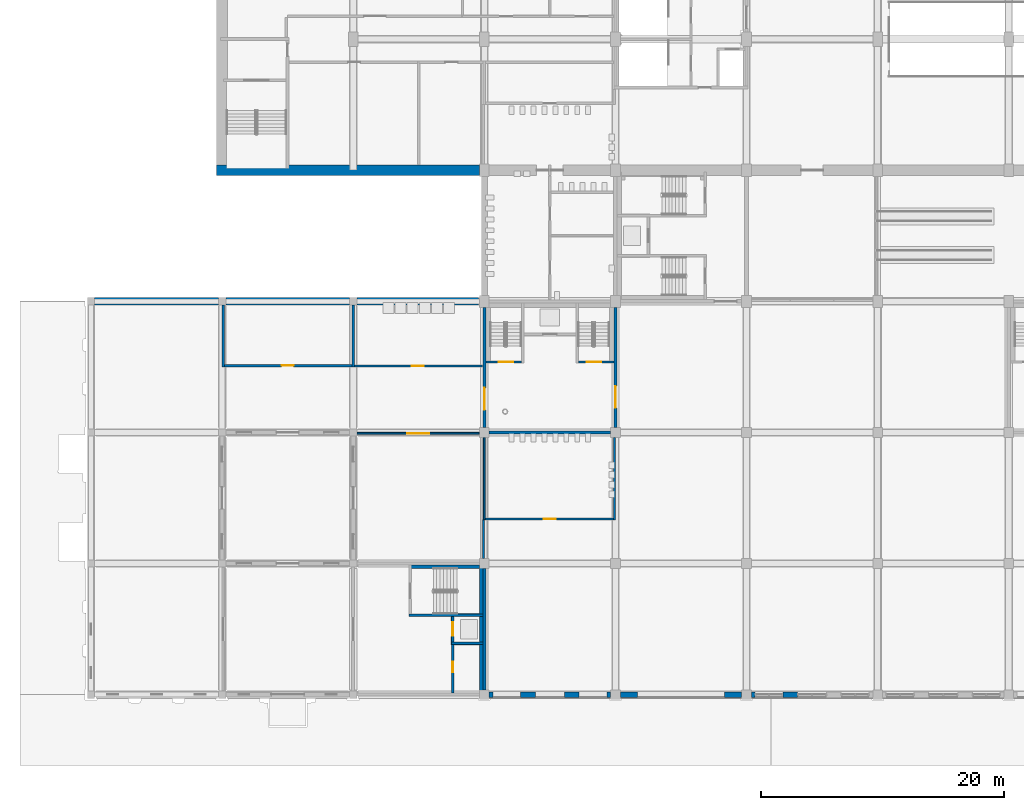
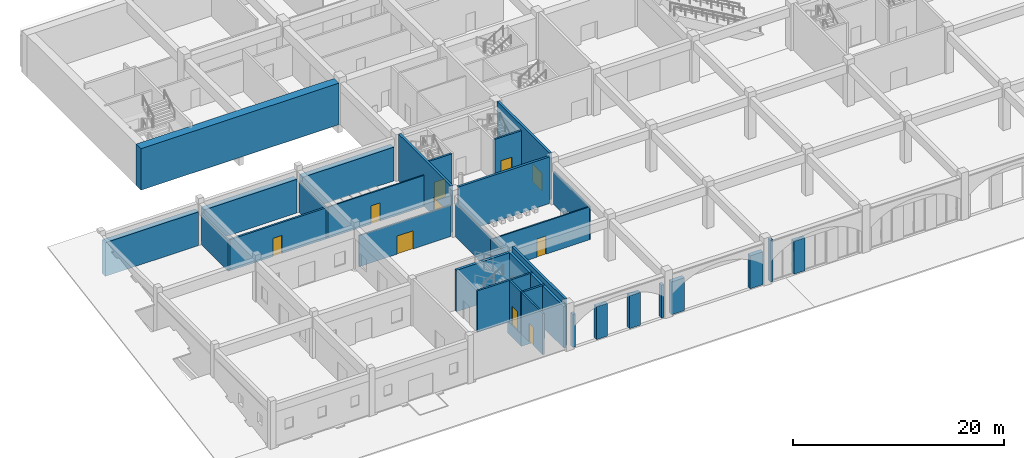
# One storey, part 26 of 101: 36 walls, 10 doors, 10 openings.
"""IFC4 building model written with IfcOpenShell, lengths in metres."""

from ifc_helpers import new_model, si_unit, direction, frame, frame_2d, origin, place, context, subcontext, project, spatial, polyline, rectangle, outline, extrude, material, layer, layer_set, type_object, element, fill, save


model = new_model("IFC4")

# Units and contexts
model_context = context("Model", 3, precision=1e-05, world=origin(), true_north=direction((0.0, 1.0)))
body_context = subcontext(model_context, "Body", "Model", "MODEL_VIEW")
ifc_project = project(units=[si_unit("LENGTHUNIT", "METRE"), si_unit("AREAUNIT", "SQUARE_METRE"), si_unit("VOLUMEUNIT", "CUBIC_METRE"), si_unit("PLANEANGLEUNIT", "RADIAN"), si_unit("MASSUNIT", "GRAM", prefix="KILO")], contexts=[model_context])

# Site, building, storey
site_placement = place(None, origin())
site = spatial("IfcSite", under=ifc_project, at=site_placement, CompositionType="ELEMENT")
building_placement = place(site_placement, origin())
building = spatial("IfcBuilding", under=site, at=building_placement, Name="Magnolia Steps Interchange", CompositionType="ELEMENT")
storey_placement = place(building_placement, frame((0.0, 0.0, -5.39990234375)))
storey = spatial("IfcBuildingStorey", under=building, at=storey_placement, Name="B1", CompositionType="ELEMENT", Elevation=-5.39990234375)

# Walls
ifc_material_1 = material(Name="Concrete C40", Category="concrete")
ifc_layer_1 = layer(ifc_material_1, 0.449951171875)
ifc_layer_set_1 = layer_set([ifc_layer_1], Name="Concrete C40 arcade wall 450")
wall_type_1 = type_object("IfcWallType", Name="Concrete C40 arcade wall 450", PredefinedType="SOLIDWALL", material=ifc_layer_set_1)
wall_1_placement = place(storey_placement, frame((42.800048828125, 10.0, 0.0), z_axis=(0.0, 0.0, 1.0), x_axis=(1.0, 0.0, 0.0)))
element("IfcWall", 1, at=wall_1_placement, inside=storey, type_object=wall_type_1, Name="Street arcade pier 1", PredefinedType="SOLIDWALL", context=body_context, shape_type="SweptSolid", body=[
    extrude(rectangle(XDim=0.300048828125, YDim=0.449951171875, at=frame_2d((0.14990234375, 0.0))), origin(), (0.0, 0.0, 1.0), 3.7998046875),
])
wall_2_placement = place(storey_placement, frame((45.39990234375, 10.0, 0.0), z_axis=(0.0, 0.0, 1.0), x_axis=(1.0, 0.0, 0.0)))
element("IfcWall", 2, at=wall_2_placement, inside=storey, type_object=wall_type_1, Name="Street arcade pier 3", PredefinedType="SOLIDWALL", context=body_context, shape_type="SweptSolid", body=[
    extrude(rectangle(XDim=1.2001953125, YDim=0.449951171875, at=frame_2d((0.60009765625, 0.0))), origin(), (0.0, 0.0, 1.0), 3.7998046875),
])
wall_3_placement = place(storey_placement, frame((49.0, 10.0, 0.0), z_axis=(0.0, 0.0, 1.0), x_axis=(1.0, 0.0, 0.0)))
element("IfcWall", 3, at=wall_3_placement, inside=storey, type_object=wall_type_1, Name="Street arcade pier 5", PredefinedType="SOLIDWALL", context=body_context, shape_type="SweptSolid", body=[
    extrude(rectangle(XDim=1.199951171875, YDim=0.449951171875, at=frame_2d((0.60009765625, 0.0))), origin(), (0.0, 0.0, 1.0), 3.7998046875),
])
wall_4_placement = place(storey_placement, frame((52.5, 10.0, 0.0), z_axis=(0.0, 0.0, 1.0), x_axis=(1.0, 0.0, 0.0)))
element("IfcWall", 4, at=wall_4_placement, inside=storey, type_object=wall_type_1, Name="Street arcade pier 7", PredefinedType="SOLIDWALL", context=body_context, shape_type="SweptSolid", body=[
    extrude(rectangle(XDim=0.300048828125, YDim=0.449951171875, at=frame_2d((0.14990234375, 0.0))), origin(), (0.0, 0.0, 1.0), 3.7998046875),
])
wall_5_placement = place(storey_placement, frame((53.60009765625, 10.0, 0.0), z_axis=(0.0, 0.0, 1.0), x_axis=(1.0, 0.0, 0.0)))
element("IfcWall", 5, at=wall_5_placement, inside=storey, type_object=wall_type_1, Name="Street arcade pier 7", PredefinedType="SOLIDWALL", context=body_context, shape_type="SweptSolid", body=[
    extrude(rectangle(XDim=1.39990234375, YDim=0.449951171875, at=frame_2d((0.699951171875, 0.0))), origin(), (0.0, 0.0, 1.0), 3.7998046875),
])
wall_6_placement = place(storey_placement, frame((62.199951171875, 10.0, 0.0), z_axis=(0.0, 0.0, 1.0), x_axis=(1.0, 0.0, 0.0)))
element("IfcWall", 6, at=wall_6_placement, inside=storey, type_object=wall_type_1, Name="Street arcade pier 9", PredefinedType="SOLIDWALL", context=body_context, shape_type="SweptSolid", body=[
    extrude(rectangle(XDim=1.400146484375, YDim=0.449951171875, at=frame_2d((0.7001953125, 0.0))), origin(), (0.0, 0.0, 1.0), 3.7998046875),
])
wall_7_placement = place(storey_placement, frame((64.39990234375, 10.0, 0.0), z_axis=(0.0, 0.0, 1.0), x_axis=(1.0, 0.0, 0.0)))
element("IfcWall", 7, at=wall_7_placement, inside=storey, type_object=wall_type_1, Name="Street arcade pier 9", PredefinedType="SOLIDWALL", context=body_context, shape_type="SweptSolid", body=[
    extrude(rectangle(XDim=0.300048828125, YDim=0.449951171875, at=frame_2d((0.14990234375, 0.0))), origin(), (0.0, 0.0, 1.0), 4.7998046875),
])
wall_8_placement = place(storey_placement, frame((67.0, 10.0, 0.0), z_axis=(0.0, 0.0, 1.0), x_axis=(1.0, 0.0, 0.0)))
element("IfcWall", 8, at=wall_8_placement, inside=storey, type_object=wall_type_1, Name="Street arcade pier 11", PredefinedType="SOLIDWALL", context=body_context, shape_type="SweptSolid", body=[
    extrude(rectangle(XDim=1.199951171875, YDim=0.449951171875, at=frame_2d((0.60009765625, 0.0))), origin(), (0.0, 0.0, 1.0), 3.7998046875),
])
ifc_material_2 = material(Name="Concrete C40", Category="concrete")
ifc_layer_2 = layer(ifc_material_2, 0.60009765625)
ifc_layer_set_2 = layer_set([ifc_layer_2], Name="Concrete C40 deep retaining wall 600")
wall_type_2 = type_object("IfcWallType", Name="Concrete C40 deep retaining wall 600", PredefinedType="SOLIDWALL", material=ifc_layer_set_2)
for number, where, z_axis, x_axis, name in (
    (9, (10.300048828125, 42.39990234375, 0.0), (0.0, 0.0, 1.0), (1.0, 0.0, 0.0), "Cycle hub north retaining wall B1"),
    (10, (21.10009765625, 42.39990234375, 0.0), (0.0, 0.0, 1.0), (1.0, 0.0, 0.0), "Cycle hub north retaining wall B1"),
):
    element("IfcWall", number, at=place(storey_placement, frame(where, z_axis=z_axis, x_axis=x_axis)), inside=storey, type_object=wall_type_2, Name=name, PredefinedType="SOLIDWALL", context=body_context, shape_type="SweptSolid", body=[
        extrude(rectangle(XDim=10.199951171875, YDim=0.60009765625, at=frame_2d((5.10009765625, 0.0))), origin(), (0.0, 0.0, 1.0), 3.89990234375),
    ])
wall_9_placement = place(storey_placement, frame((31.89990234375, 42.39990234375, 0.0), z_axis=(0.0, 0.0, 1.0), x_axis=(1.0, 0.0, 0.0)))
element("IfcWall", 11, at=wall_9_placement, inside=storey, type_object=wall_type_2, Name="Cycle hub north retaining wall B1", PredefinedType="SOLIDWALL", context=body_context, shape_type="SweptSolid", body=[
    extrude(rectangle(XDim=10.0, YDim=0.60009765625, at=frame_2d((5.0, 0.0))), origin(), (0.0, 0.0, 1.0), 3.89990234375),
])

# Wall, opening, door
ifc_material_3 = material(Name="Concrete C35", Category="concrete")
ifc_layer_3 = layer(ifc_material_3, 0.199951171875)
ifc_layer_set_3 = layer_set([ifc_layer_3], Name="Core enclosure wall 200")
wall_type_3 = type_object("IfcWallType", Name="Core enclosure wall 200", PredefinedType="SOLIDWALL", material=ifc_layer_set_3)
wall_10_placement = place(storey_placement, frame((42.52490234375, 37.39990234375, 0.0), z_axis=(0.0, 0.0, 1.0), x_axis=(1.0, 0.0, 0.0)))
wall_10 = element("IfcWall", 12, at=wall_10_placement, inside=storey, type_object=wall_type_3, Name="B1 BC1 enclosure wall", PredefinedType="SOLIDWALL", context=body_context, shape_type="SweptSolid", body=[
    extrude(rectangle(XDim=2.925048828125, YDim=0.199951171875, at=frame_2d((1.46240234375, 0.0))), origin(), (0.0, 0.0, 1.0), 4.7998046875),
])
opening_1_placement = place(wall_10_placement, frame((1.050048828125, 0.0, 0.0)))
opening_1 = element("IfcOpeningElement", 13, at=opening_1_placement, cuts=wall_10, Name="Opening D-BC1-B1-1", PredefinedType="OPENING", context=body_context, shape_type="SweptSolid", body=[
    extrude(rectangle(XDim=1.199951171875, YDim=2.10009765625, at=frame_2d((0.60009765625, 1.050048828125))), frame((0.0, 0.10986328125, 0.0), z_axis=(0.0, -1.0, 0.0), x_axis=(1.0, 0.0, 0.0)), (0.0, 0.0, 1.0), 0.219970703125),
])
ifc_material_4 = material(Name="Painted steel", Category="steel")
door_type_1 = type_object("IfcDoorType", Name="Stair fire door 1200x2100", OperationType="NOTDEFINED", PredefinedType="DOOR", material=ifc_material_4)
door_1_placement = place(opening_1_placement, frame((1.199951171875, 0.0, 0.0), z_axis=(0.0, 0.0, 1.0), x_axis=(-1.0, 0.0, 0.0)))
door_1 = element("IfcDoor", 14, at=door_1_placement, inside=storey, type_object=door_type_1, Name="Stair door ST17 B1", OperationType="SINGLE_SWING_LEFT", OverallHeight=2.10009765625, OverallWidth=1.199951171875, PredefinedType="DOOR", context=body_context, shape_type="SweptSolid", body=[
    extrude(rectangle(XDim=1.199951171875, YDim=2.10009765625, at=frame_2d((0.60009765625, 1.050048828125))), frame((0.0, 0.02490234375, 0.0), z_axis=(0.0, -1.0, 0.0), x_axis=(1.0, 0.0, 0.0)), (0.0, 0.0, 1.0), 0.050048828125),
])
fill(opening_1, door_1)

wall_11_placement = place(storey_placement, frame((50.14990234375, 37.39990234375, 0.0), z_axis=(0.0, 0.0, 1.0), x_axis=(1.0, 0.0, 0.0)))
wall_11 = element("IfcWall", 15, at=wall_11_placement, inside=storey, type_object=wall_type_3, Name="B1 BC1 enclosure wall", PredefinedType="SOLIDWALL", context=body_context, shape_type="SweptSolid", body=[
    extrude(rectangle(XDim=2.925048828125, YDim=0.199951171875, at=frame_2d((1.46240234375, 0.0))), origin(), (0.0, 0.0, 1.0), 4.7998046875),
])
opening_2_placement = place(wall_11_placement, frame((0.675048828125, 0.0, 0.0)))
opening_2 = element("IfcOpeningElement", 16, at=opening_2_placement, cuts=wall_11, Name="Opening D-BC1-B1-2", PredefinedType="OPENING", context=body_context, shape_type="SweptSolid", body=[
    extrude(rectangle(XDim=1.199951171875, YDim=2.10009765625, at=frame_2d((0.60009765625, 1.050048828125))), frame((0.0, 0.10986328125, 0.0), z_axis=(0.0, -1.0, 0.0), x_axis=(1.0, 0.0, 0.0)), (0.0, 0.0, 1.0), 0.219970703125),
])
door_2_placement = place(opening_2_placement, frame((1.199951171875, 0.0, 0.0), z_axis=(0.0, 0.0, 1.0), x_axis=(-1.0, 0.0, 0.0)))
door_2 = element("IfcDoor", 17, at=door_2_placement, inside=storey, type_object=door_type_1, Name="Stair door ST18 B1", OperationType="SINGLE_SWING_RIGHT", OverallHeight=2.10009765625, OverallWidth=1.199951171875, PredefinedType="DOOR", context=body_context, shape_type="SweptSolid", body=[
    extrude(rectangle(XDim=1.199951171875, YDim=2.10009765625, at=frame_2d((0.60009765625, 1.050048828125))), frame((0.0, 0.02490234375, 0.0), z_axis=(0.0, -1.0, 0.0), x_axis=(1.0, 0.0, 0.0)), (0.0, 0.0, 1.0), 0.050048828125),
])
fill(opening_2, door_2)

# Wall
wall_12_placement = place(storey_placement, frame((36.199951171875, 16.550048828125, 0.0), z_axis=(0.0, 0.0, 1.0), x_axis=(1.0, 0.0, 0.0)))
element("IfcWall", 18, at=wall_12_placement, inside=storey, type_object=wall_type_3, Name="B1 HB1 enclosure wall", PredefinedType="SOLIDWALL", context=body_context, shape_type="SweptSolid", body=[
    extrude(rectangle(XDim=6.074951171875, YDim=0.199951171875, at=frame_2d((3.03759765625, 0.0))), origin(), (0.0, 0.0, 1.0), 4.7998046875),
])

# Wall, opening, door
wall_13_placement = place(storey_placement, frame((39.800048828125, 16.449951171875, 0.0), z_axis=(0.0, 0.0, 1.0), x_axis=(0.0, -1.0, 0.0)))
wall_13 = element("IfcWall", 19, at=wall_13_placement, inside=storey, type_object=wall_type_3, Name="B1 HB1 enclosure wall", PredefinedType="SOLIDWALL", context=body_context, shape_type="SweptSolid", body=[
    extrude(rectangle(XDim=2.099853515625, YDim=0.199951171875, at=frame_2d((1.0498046875, 0.0))), origin(), (0.0, 0.0, 1.0), 4.7998046875),
])
opening_3_placement = place(wall_13_placement, frame((0.5, 0.0, 0.0)))
opening_3 = element("IfcOpeningElement", 20, at=opening_3_placement, cuts=wall_13, Name="Opening LD", PredefinedType="OPENING", context=body_context, shape_type="SweptSolid", body=[
    extrude(rectangle(XDim=1.10009765625, YDim=2.10009765625, at=frame_2d((0.550048828125, 1.050048828125))), frame((0.0, 0.10986328125, 0.0), z_axis=(0.0, -1.0, 0.0), x_axis=(1.0, 0.0, 0.0)), (0.0, 0.0, 1.0), 0.219970703125),
])
ifc_material_5 = material(Name="Stainless steel grade 304", Category="steel")
door_type_2 = type_object("IfcDoorType", Name="Lift landing door 1100x2100", OperationType="DOUBLE_DOOR_SLIDING", PredefinedType="DOOR", material=ifc_material_5)
door_3_placement = place(opening_3_placement, frame((1.10009765625, 0.0, 0.0), z_axis=(0.0, 0.0, 1.0), x_axis=(-1.0, 0.0, 0.0)))
door_3 = element("IfcDoor", 21, at=door_3_placement, inside=storey, type_object=door_type_2, Name="Lift landing door LF12 B1", OperationType="DOUBLE_DOOR_SLIDING", OverallHeight=2.10009765625, OverallWidth=1.10009765625, PredefinedType="DOOR", context=body_context, shape_type="SweptSolid", body=[
    extrude(rectangle(XDim=1.10009765625, YDim=2.10009765625, at=frame_2d((0.550048828125, 1.050048828125))), frame((0.0, 0.02490234375, 0.0), z_axis=(0.0, -1.0, 0.0), x_axis=(1.0, 0.0, 0.0)), (0.0, 0.0, 1.0), 0.050048828125),
])
fill(opening_3, door_3)

# Wall
wall_14_placement = place(storey_placement, frame((39.699951171875, 14.25, 0.0), z_axis=(0.0, 0.0, 1.0), x_axis=(1.0, 0.0, 0.0)))
element("IfcWall", 22, at=wall_14_placement, inside=storey, type_object=wall_type_3, Name="B1 HB1 enclosure wall", PredefinedType="SOLIDWALL", context=body_context, shape_type="SweptSolid", body=[
    extrude(rectangle(XDim=2.574951171875, YDim=0.199951171875, at=frame_2d((1.28759765625, 0.0))), origin(), (0.0, 0.0, 1.0), 4.7998046875),
])

# Wall, opening, door
wall_15_placement = place(storey_placement, frame((39.800048828125, 14.14990234375, 0.0), z_axis=(0.0, 0.0, 1.0), x_axis=(0.0, -1.0, 0.0)))
wall_15 = element("IfcWall", 23, at=wall_15_placement, inside=storey, type_object=wall_type_3, Name="B1 HB1 enclosure wall", PredefinedType="SOLIDWALL", context=body_context, shape_type="SweptSolid", body=[
    extrude(rectangle(XDim=4.02490234375, YDim=0.199951171875, at=frame_2d((2.012451171875, 0.0))), origin(), (0.0, 0.0, 1.0), 4.7998046875),
])
opening_4_placement = place(wall_15_placement, frame((1.425048828125, 0.0, 0.0)))
opening_4 = element("IfcOpeningElement", 24, at=opening_4_placement, cuts=wall_15, Name="Opening D-HB1-B1-2", PredefinedType="OPENING", context=body_context, shape_type="SweptSolid", body=[
    extrude(rectangle(XDim=0.89990234375, YDim=2.10009765625, at=frame_2d((0.449951171875, 1.050048828125))), frame((0.0, 0.10986328125, 0.0), z_axis=(0.0, -1.0, 0.0), x_axis=(1.0, 0.0, 0.0)), (0.0, 0.0, 1.0), 0.219970703125),
])
ifc_material_6 = material(Name="Painted steel", Category="steel")
door_type_3 = type_object("IfcDoorType", Name="Riser door 900x2100", OperationType="NOTDEFINED", PredefinedType="DOOR", material=ifc_material_6)
door_4_placement = place(opening_4_placement, frame((0.89990234375, 0.0, 0.0), z_axis=(0.0, 0.0, 1.0), x_axis=(-1.0, 0.0, 0.0)))
door_4 = element("IfcDoor", 25, at=door_4_placement, inside=storey, type_object=door_type_3, Name="Riser door HB1 B1", OperationType="SINGLE_SWING_RIGHT", OverallHeight=2.10009765625, OverallWidth=0.89990234375, PredefinedType="DOOR", context=body_context, shape_type="SweptSolid", body=[
    extrude(rectangle(XDim=0.89990234375, YDim=2.10009765625, at=frame_2d((0.449951171875, 1.050048828125))), frame((0.0, 0.02490234375, 0.0), z_axis=(0.0, -1.0, 0.0), x_axis=(1.0, 0.0, 0.0)), (0.0, 0.0, 1.0), 0.050048828125),
])
fill(opening_4, door_4)

# Walls
ifc_material_7 = material(Name="Concrete C35", Category="concrete")
ifc_layer_4 = layer(ifc_material_7, 0.27490234375)
ifc_layer_set_4 = layer_set([ifc_layer_4], Name="Core lining wall 275")
wall_type_4 = type_object("IfcWallType", Name="Core lining wall 275", PredefinedType="SOLIDWALL", material=ifc_layer_set_4)
wall_16_placement = place(storey_placement, frame((36.199951171875, 20.53759765625, 0.0), z_axis=(0.0, 0.0, 1.0), x_axis=(1.0, 0.0, 0.0)))
element("IfcWall", 26, at=wall_16_placement, inside=storey, type_object=wall_type_4, Name="B1 HB1 stair lining wall", PredefinedType="SOLIDWALL", context=body_context, shape_type="SweptSolid", body=[
    extrude(rectangle(XDim=6.074951171875, YDim=0.27490234375, at=frame_2d((3.03759765625, 0.0))), origin(), (0.0, 0.0, 1.0), 4.7998046875),
])
wall_17_placement = place(storey_placement, frame((42.137451171875, 20.675048828125, 0.0), z_axis=(0.0, 0.0, 1.0), x_axis=(0.0, -1.0, 0.0)))
element("IfcWall", 27, at=wall_17_placement, inside=storey, type_object=wall_type_4, Name="B1 HB1 stair lining wall", PredefinedType="SOLIDWALL", context=body_context, shape_type="SweptSolid", body=[
    extrude(rectangle(XDim=4.025146484375, YDim=0.27490234375, at=frame_2d((2.0126953125, 0.0))), origin(), (0.0, 0.0, 1.0), 4.7998046875),
])
wall_18_placement = place(storey_placement, frame((42.137451171875, 16.449951171875, 0.0), z_axis=(0.0, 0.0, 1.0), x_axis=(0.0, -1.0, 0.0)))
element("IfcWall", 28, at=wall_18_placement, inside=storey, type_object=wall_type_4, Name="B1 HB1 stair lining wall", PredefinedType="SOLIDWALL", context=body_context, shape_type="SweptSolid", body=[
    extrude(rectangle(XDim=2.099853515625, YDim=0.27490234375, at=frame_2d((1.0498046875, 0.0))), origin(), (0.0, 0.0, 1.0), 4.7998046875),
])
wall_19_placement = place(storey_placement, frame((42.137451171875, 14.14990234375, 0.0), z_axis=(0.0, 0.0, 1.0), x_axis=(0.0, -1.0, 0.0)))
element("IfcWall", 29, at=wall_19_placement, inside=storey, type_object=wall_type_4, Name="B1 HB1 stair lining wall", PredefinedType="SOLIDWALL", context=body_context, shape_type="SweptSolid", body=[
    extrude(rectangle(XDim=4.02490234375, YDim=0.27490234375, at=frame_2d((2.012451171875, 0.0))), origin(), (0.0, 0.0, 1.0), 4.7998046875),
])
ifc_material_8 = material(Name="Concrete C40", Category="concrete")
ifc_layer_5 = layer(ifc_material_8, 0.25)
ifc_layer_set_5 = layer_set([ifc_layer_5], Name="Core wall 250")
wall_type_5 = type_object("IfcWallType", Name="Core wall 250", PredefinedType="SOLIDWALL", material=ifc_layer_set_5)
wall_20_placement = place(storey_placement, frame((42.800048828125, 31.60009765625, 0.0), z_axis=(0.0, 0.0, 1.0), x_axis=(1.0, 0.0, 0.0)))
element("IfcWall", 30, at=wall_20_placement, inside=storey, type_object=wall_type_5, Name="Core wall BC1", PredefinedType="SOLIDWALL", context=body_context, shape_type="SweptSolid", body=[
    extrude(rectangle(XDim=10.0, YDim=0.25, at=frame_2d((5.0, 0.0))), origin(), (0.0, 0.0, 1.0), 5.39990234375),
])

# Wall, opening, door
wall_21_placement = place(storey_placement, frame((53.199951171875, 32.0, 0.0), z_axis=(0.0, 0.0, 1.0), x_axis=(0.0, 1.0, 0.0)))
wall_21 = element("IfcWall", 31, at=wall_21_placement, inside=storey, type_object=wall_type_5, Name="Core wall BC1", PredefinedType="SOLIDWALL", context=body_context, shape_type="SweptSolid", body=[
    extrude(rectangle(XDim=9.89990234375, YDim=0.25, at=frame_2d((4.949951171875, 0.0))), origin(), (0.0, 0.0, 1.0), 5.39990234375),
])
opening_5_placement = place(wall_21_placement, frame((1.613037109375, 0.0, 0.0)))
opening_5 = element("IfcOpeningElement", 32, at=opening_5_placement, cuts=wall_21, Name="Opening D-BC1-B1-3", PredefinedType="OPENING", context=body_context, shape_type="SweptSolid", body=[
    extrude(rectangle(XDim=1.800048828125, YDim=2.10009765625, at=frame_2d((0.89990234375, 1.050048828125))), frame((0.0, 0.135009765625, 0.0), z_axis=(0.0, -1.0, 0.0), x_axis=(1.0, 0.0, 0.0)), (0.0, 0.0, 1.0), 0.27001953125),
])
ifc_material_9 = material(Name="Timber and glass", Category="wood")
door_type_4 = type_object("IfcDoorType", Name="Core entrance door pair 1800x2100", OperationType="DOUBLE_DOOR_DOUBLE_SWING", PredefinedType="DOOR", material=ifc_material_9)
door_5_placement = place(opening_5_placement, frame((1.800048828125, 0.0, 0.0), z_axis=(0.0, 0.0, 1.0), x_axis=(-1.0, 0.0, 0.0)))
door_5 = element("IfcDoor", 33, at=door_5_placement, inside=storey, type_object=door_type_4, Name="Core entrance door BC1 B1", OperationType="DOUBLE_DOOR_DOUBLE_SWING", OverallHeight=2.10009765625, OverallWidth=1.800048828125, PredefinedType="DOOR", context=body_context, shape_type="SweptSolid", body=[
    extrude(rectangle(XDim=1.800048828125, YDim=2.10009765625, at=frame_2d((0.89990234375, 1.050048828125))), frame((0.0, 0.02490234375, 0.0), z_axis=(0.0, -1.0, 0.0), x_axis=(1.0, 0.0, 0.0)), (0.0, 0.0, 1.0), 0.050048828125),
])
fill(opening_5, door_5)

wall_22_placement = place(storey_placement, frame((42.39990234375, 41.89990234375, 0.0), z_axis=(0.0, 0.0, 1.0), x_axis=(0.0, -1.0, 0.0)))
wall_22 = element("IfcWall", 34, at=wall_22_placement, inside=storey, type_object=wall_type_5, Name="Core wall BC1", PredefinedType="SOLIDWALL", context=body_context, shape_type="SweptSolid", body=[
    extrude(rectangle(XDim=9.89990234375, YDim=0.25, at=frame_2d((4.949951171875, 0.0))), origin(), (0.0, 0.0, 1.0), 5.39990234375),
])
opening_6_placement = place(wall_22_placement, frame((6.637939453125, 0.0, 0.0)))
opening_6 = element("IfcOpeningElement", 35, at=opening_6_placement, cuts=wall_22, Name="Opening D-BC1-B1-4", PredefinedType="OPENING", context=body_context, shape_type="SweptSolid", body=[
    extrude(rectangle(XDim=1.800048828125, YDim=2.10009765625, at=frame_2d((0.89990234375, 1.050048828125))), frame((0.0, 0.135009765625, 0.0), z_axis=(0.0, -1.0, 0.0), x_axis=(1.0, 0.0, 0.0)), (0.0, 0.0, 1.0), 0.27001953125),
])
door_6_placement = place(opening_6_placement, frame((1.800048828125, 0.0, 0.0), z_axis=(0.0, 0.0, 1.0), x_axis=(-1.0, 0.0, 0.0)))
door_6 = element("IfcDoor", 36, at=door_6_placement, inside=storey, type_object=door_type_4, Name="Core entrance door BC1 B1", OperationType="DOUBLE_DOOR_DOUBLE_SWING", OverallHeight=2.10009765625, OverallWidth=1.800048828125, PredefinedType="DOOR", context=body_context, shape_type="SweptSolid", body=[
    extrude(rectangle(XDim=1.800048828125, YDim=2.10009765625, at=frame_2d((0.89990234375, 1.050048828125))), frame((0.0, 0.02490234375, 0.0), z_axis=(0.0, -1.0, 0.0), x_axis=(1.0, 0.0, 0.0)), (0.0, 0.0, 1.0), 0.050048828125),
])
fill(opening_6, door_6)

# Walls
wall_23_placement = place(storey_placement, frame((42.39990234375, 10.39990234375, 0.0), z_axis=(0.0, 0.0, 1.0), x_axis=(0.0, 1.0, 0.0)))
element("IfcWall", 37, at=wall_23_placement, inside=storey, type_object=wall_type_5, Name="Core wall HB1", PredefinedType="SOLIDWALL", context=body_context, shape_type="SweptSolid", body=[
    extrude(rectangle(XDim=10.0, YDim=0.25, at=frame_2d((5.0, 0.0))), origin(), (0.0, 0.0, 1.0), 5.39990234375),
])
ifc_material_10 = material(Name="Concrete C40", Category="concrete")
ifc_layer_6 = layer(ifc_material_10, 0.89990234375)
ifc_layer_set_6 = layer_set([ifc_layer_6], Name="Diaphragm wall 900")
wall_type_6 = type_object("IfcWallType", Name="Diaphragm wall 900", PredefinedType="SOLIDWALL", material=ifc_layer_set_6)
wall_24_placement = place(storey_placement, frame((20.35009765625, 53.199951171875, 0.0), z_axis=(0.0, 0.0, 1.0), x_axis=(1.0, 0.0, 0.0)))
element("IfcWall", 38, at=wall_24_placement, inside=storey, type_object=wall_type_6, Name="Metro box wall S", PredefinedType="SOLIDWALL", context=body_context, shape_type="SweptSolid", body=[
    extrude(rectangle(XDim=21.64990234375, YDim=0.89990234375, at=frame_2d((10.824951171875, 0.0))), origin(), (0.0, 0.0, 1.0), 4.7998046875),
])
ifc_material_11 = material(Name="Fair-faced blockwork", Category="masonry")
ifc_layer_7 = layer(ifc_material_11, 0.199951171875)
ifc_layer_set_7 = layer_set([ifc_layer_7], Name="Fire partition wall 200")
wall_type_7 = type_object("IfcWallType", Name="Fire partition wall 200", PredefinedType="PARTITIONING", material=ifc_layer_set_7)
wall_25_placement = place(storey_placement, frame((20.89990234375, 37.0, 0.0), z_axis=(0.0, 0.0, 1.0), x_axis=(0.0, 1.0, 0.0)))
element("IfcWall", 39, at=wall_25_placement, inside=storey, type_object=wall_type_7, Name="B1 partition 71", PredefinedType="PARTITIONING", context=body_context, shape_type="SweptSolid", body=[
    extrude(rectangle(XDim=5.080078125, YDim=0.199951171875, at=frame_2d((2.5400390625, 0.0))), origin(), (0.0, 0.0, 1.0), 3.599853515625),
])

# Wall, opening, door
wall_26_placement = place(storey_placement, frame((20.800048828125, 37.10009765625, 0.0), z_axis=(0.0, 0.0, 1.0), x_axis=(1.0, 0.0, 0.0)))
wall_26 = element("IfcWall", 40, at=wall_26_placement, inside=storey, type_object=wall_type_7, Name="B1 partition 74", PredefinedType="PARTITIONING", context=body_context, shape_type="SweptSolid", body=[
    extrude(rectangle(XDim=10.800048828125, YDim=0.199951171875, at=frame_2d((5.39990234375, 0.0))), origin(), (0.0, 0.0, 1.0), 3.599853515625),
])
opening_7_placement = place(wall_26_placement, frame((4.89990234375, 0.0, 0.0)))
opening_7 = element("IfcOpeningElement", 41, at=opening_7_placement, cuts=wall_26, Name="Opening D-B1-34", PredefinedType="OPENING", context=body_context, shape_type="SweptSolid", body=[
    extrude(rectangle(XDim=1.0, YDim=2.10009765625, at=frame_2d((0.5, 1.050048828125))), frame((0.0, 0.10986328125, 0.0), z_axis=(0.0, -1.0, 0.0), x_axis=(1.0, 0.0, 0.0)), (0.0, 0.0, 1.0), 0.219970703125),
])
ifc_material_12 = material(Name="Painted steel", Category="steel")
door_type_5 = type_object("IfcDoorType", Name="Plant room door 1000x2100", OperationType="NOTDEFINED", PredefinedType="DOOR", material=ifc_material_12)
door_7_placement = place(opening_7_placement, origin())
door_7 = element("IfcDoor", 42, at=door_7_placement, inside=storey, type_object=door_type_5, Name="Cycle Store door", OperationType="SINGLE_SWING_RIGHT", OverallHeight=2.10009765625, OverallWidth=1.0, PredefinedType="DOOR", context=body_context, shape_type="SweptSolid", body=[
    extrude(rectangle(XDim=1.0, YDim=2.10009765625, at=frame_2d((0.5, 1.050048828125))), frame((0.0, 0.02490234375, 0.0), z_axis=(0.0, -1.0, 0.0), x_axis=(1.0, 0.0, 0.0)), (0.0, 0.0, 1.0), 0.050048828125),
])
fill(opening_7, door_7)

# Walls
wall_27_placement = place(storey_placement, frame((31.60009765625, 37.0, 0.0), z_axis=(0.0, 0.0, 1.0), x_axis=(0.0, 1.0, 0.0)))
element("IfcWall", 43, at=wall_27_placement, inside=storey, type_object=wall_type_7, Name="B1 partition 75", PredefinedType="PARTITIONING", context=body_context, shape_type="SweptSolid", body=[
    extrude(rectangle(XDim=5.080078125, YDim=0.199951171875, at=frame_2d((2.5400390625, 0.0))), origin(), (0.0, 0.0, 1.0), 3.599853515625),
])
ifc_material_13 = material(Name="Concrete C40", Category="concrete")
ifc_layer_8 = layer(ifc_material_13, 0.25)
ifc_layer_set_8 = layer_set([ifc_layer_8], Name="Lift pit wall 250")
wall_type_8 = type_object("IfcWallType", Name="Lift pit wall 250", PredefinedType="SOLIDWALL", material=ifc_layer_set_8)
wall_28_placement = place(storey_placement, frame((0.0, 0.0, -1.400146484375)))
element("IfcWall", 44, at=wall_28_placement, inside=storey, type_object=wall_type_8, Name="Lift pit wall HB1", PredefinedType="SOLIDWALL", context=body_context, shape_type="SweptSolid", body=[
    extrude(outline(polyline([(39.64990234375, 16.699951171875), (39.64990234375, 14.10009765625), (42.25, 14.10009765625), (42.25, 16.699951171875), (39.64990234375, 16.699951171875)]), holes=[polyline([(39.89990234375, 14.35009765625), (42.0, 14.35009765625), (42.0, 16.449951171875), (39.89990234375, 16.449951171875), (39.89990234375, 14.35009765625)])]), origin(), (0.0, 0.0, 1.0), 1.400146484375),
])
ifc_material_14 = material(Name="Fair-faced blockwork", Category="masonry")
ifc_layer_9 = layer(ifc_material_14, 0.14990234375)
ifc_layer_set_9 = layer_set([ifc_layer_9], Name="Partition wall 150")
wall_type_9 = type_object("IfcWallType", Name="Partition wall 150", PredefinedType="PARTITIONING", material=ifc_layer_set_9)
wall_29_placement = place(storey_placement, frame((53.125, 24.39990234375, 0.0), z_axis=(0.0, 0.0, 1.0), x_axis=(0.0, 1.0, 0.0)))
element("IfcWall", 45, at=wall_29_placement, inside=storey, type_object=wall_type_9, Name="B1 partition 57", PredefinedType="PARTITIONING", context=body_context, shape_type="SweptSolid", body=[
    extrude(rectangle(XDim=6.780029296875, YDim=0.14990234375, at=frame_2d((3.39013671875, 0.0))), origin(), (0.0, 0.0, 1.0), 3.7998046875),
])
wall_30_placement = place(storey_placement, frame((42.39990234375, 24.39990234375, 0.0), z_axis=(0.0, 0.0, 1.0), x_axis=(0.0, 1.0, 0.0)))
element("IfcWall", 46, at=wall_30_placement, inside=storey, type_object=wall_type_9, Name="B1 partition 58", PredefinedType="PARTITIONING", context=body_context, shape_type="SweptSolid", body=[
    extrude(rectangle(XDim=6.780029296875, YDim=0.14990234375, at=frame_2d((3.39013671875, 0.0))), origin(), (0.0, 0.0, 1.0), 3.89990234375),
])

# Wall, opening, door
wall_31_placement = place(storey_placement, frame((42.39990234375, 24.47509765625, 0.0), z_axis=(0.0, 0.0, 1.0), x_axis=(1.0, 0.0, 0.0)))
wall_31 = element("IfcWall", 47, at=wall_31_placement, inside=storey, type_object=wall_type_9, Name="B1 partition 59", PredefinedType="PARTITIONING", context=body_context, shape_type="SweptSolid", body=[
    extrude(rectangle(XDim=10.800048828125, YDim=0.14990234375, at=frame_2d((5.39990234375, 0.0))), origin(), (0.0, 0.0, 1.0), 3.7998046875),
])
opening_8_placement = place(wall_31_placement, frame((4.89990234375, 0.0, 0.0)))
opening_8 = element("IfcOpeningElement", 48, at=opening_8_placement, cuts=wall_31, Name="Opening D-B1-26", PredefinedType="OPENING", context=body_context, shape_type="SweptSolid", body=[
    extrude(rectangle(XDim=1.0, YDim=2.10009765625, at=frame_2d((0.5, 1.050048828125))), frame((0.0, 0.0849609375, 0.0), z_axis=(0.0, -1.0, 0.0), x_axis=(1.0, 0.0, 0.0)), (0.0, 0.0, 1.0), 0.169921875),
])
ifc_material_15 = material(Name="Timber", Category="wood")
door_type_6 = type_object("IfcDoorType", Name="Room door 1000x2100", OperationType="NOTDEFINED", PredefinedType="DOOR", material=ifc_material_15)
door_8_placement = place(opening_8_placement, origin())
door_8 = element("IfcDoor", 49, at=door_8_placement, inside=storey, type_object=door_type_6, Name="Passenger Toilets door", OperationType="SINGLE_SWING_LEFT", OverallHeight=2.10009765625, OverallWidth=1.0, PredefinedType="DOOR", context=body_context, shape_type="SweptSolid", body=[
    extrude(rectangle(XDim=1.0, YDim=2.10009765625, at=frame_2d((0.5, 1.050048828125))), frame((0.0, 0.02490234375, 0.0), z_axis=(0.0, -1.0, 0.0), x_axis=(1.0, 0.0, 0.0)), (0.0, 0.0, 1.0), 0.050048828125),
])
fill(opening_8, door_8)

# Wall
wall_32_placement = place(storey_placement, frame((42.324951171875, 21.219970703125, 0.0), z_axis=(0.0, 0.0, 1.0), x_axis=(0.0, 1.0, 0.0)))
element("IfcWall", 50, at=wall_32_placement, inside=storey, type_object=wall_type_9, Name="B1 partition 69", PredefinedType="PARTITIONING", context=body_context, shape_type="SweptSolid", body=[
    extrude(rectangle(XDim=3.179931640625, YDim=0.14990234375, at=frame_2d((1.58984375, 0.0))), origin(), (0.0, 0.0, 1.0), 3.89990234375),
])

# Wall, opening, door
wall_33_placement = place(storey_placement, frame((31.919921875, 31.52490234375, 0.0), z_axis=(0.0, 0.0, 1.0), x_axis=(1.0, 0.0, 0.0)))
wall_33 = element("IfcWall", 51, at=wall_33_placement, inside=storey, type_object=wall_type_9, Name="B1 partition 72", PredefinedType="PARTITIONING", context=body_context, shape_type="SweptSolid", body=[
    extrude(rectangle(XDim=10.06005859375, YDim=0.14990234375, at=frame_2d((5.030029296875, 0.0))), origin(), (0.0, 0.0, 1.0), 3.599853515625),
])
opening_9_placement = place(wall_33_placement, frame((4.1298828125, 0.0, 0.0)))
opening_9 = element("IfcOpeningElement", 52, at=opening_9_placement, cuts=wall_33, Name="Opening D-B1-32", PredefinedType="OPENING", context=body_context, shape_type="SweptSolid", body=[
    extrude(rectangle(XDim=1.800048828125, YDim=2.10009765625, at=frame_2d((0.89990234375, 1.050048828125))), frame((0.0, 0.0849609375, 0.0), z_axis=(0.0, -1.0, 0.0), x_axis=(1.0, 0.0, 0.0)), (0.0, 0.0, 1.0), 0.169921875),
])
ifc_material_16 = material(Name="Timber", Category="wood")
door_type_7 = type_object("IfcDoorType", Name="Room door pair 1800x2100", OperationType="DOUBLE_DOOR_DOUBLE_SWING", PredefinedType="DOOR", material=ifc_material_16)
door_9_placement = place(opening_9_placement, frame((1.800048828125, 0.0, 0.0), z_axis=(0.0, 0.0, 1.0), x_axis=(-1.0, 0.0, 0.0)))
door_9 = element("IfcDoor", 53, at=door_9_placement, inside=storey, type_object=door_type_7, Name="Cycle Hire Counter door", OperationType="DOUBLE_DOOR_DOUBLE_SWING", OverallHeight=2.10009765625, OverallWidth=1.800048828125, PredefinedType="DOOR", context=body_context, shape_type="SweptSolid", body=[
    extrude(rectangle(XDim=1.800048828125, YDim=2.10009765625, at=frame_2d((0.89990234375, 1.050048828125))), frame((0.0, 0.02490234375, 0.0), z_axis=(0.0, -1.0, 0.0), x_axis=(1.0, 0.0, 0.0)), (0.0, 0.0, 1.0), 0.050048828125),
])
fill(opening_9, door_9)

wall_34_placement = place(storey_placement, frame((31.60009765625, 37.074951171875, 0.0), z_axis=(0.0, 0.0, 1.0), x_axis=(1.0, 0.0, 0.0)))
wall_34 = element("IfcWall", 54, at=wall_34_placement, inside=storey, type_object=wall_type_9, Name="B1 partition 73", PredefinedType="PARTITIONING", context=body_context, shape_type="SweptSolid", body=[
    extrude(rectangle(XDim=10.64501953125, YDim=0.14990234375, at=frame_2d((5.322509765625, 0.0))), origin(), (0.0, 0.0, 1.0), 3.599853515625),
])
opening_10_placement = place(wall_34_placement, frame((4.822509765625, 0.0, 0.0)))
opening_10 = element("IfcOpeningElement", 55, at=opening_10_placement, cuts=wall_34, Name="Opening D-B1-33", PredefinedType="OPENING", context=body_context, shape_type="SweptSolid", body=[
    extrude(rectangle(XDim=1.0, YDim=2.10009765625, at=frame_2d((0.5, 1.050048828125))), frame((0.0, 0.0849609375, 0.0), z_axis=(0.0, -1.0, 0.0), x_axis=(1.0, 0.0, 0.0)), (0.0, 0.0, 1.0), 0.169921875),
])
door_10_placement = place(opening_10_placement, origin())
door_10 = element("IfcDoor", 56, at=door_10_placement, inside=storey, type_object=door_type_6, Name="Cyclists' Showers and Lockers door", OperationType="SINGLE_SWING_LEFT", OverallHeight=2.10009765625, OverallWidth=1.0, PredefinedType="DOOR", context=body_context, shape_type="SweptSolid", body=[
    extrude(rectangle(XDim=1.0, YDim=2.10009765625, at=frame_2d((0.5, 1.050048828125))), frame((0.0, 0.02490234375, 0.0), z_axis=(0.0, -1.0, 0.0), x_axis=(1.0, 0.0, 0.0)), (0.0, 0.0, 1.0), 0.050048828125),
])
fill(opening_10, door_10)

save(model, "model.ifc")
